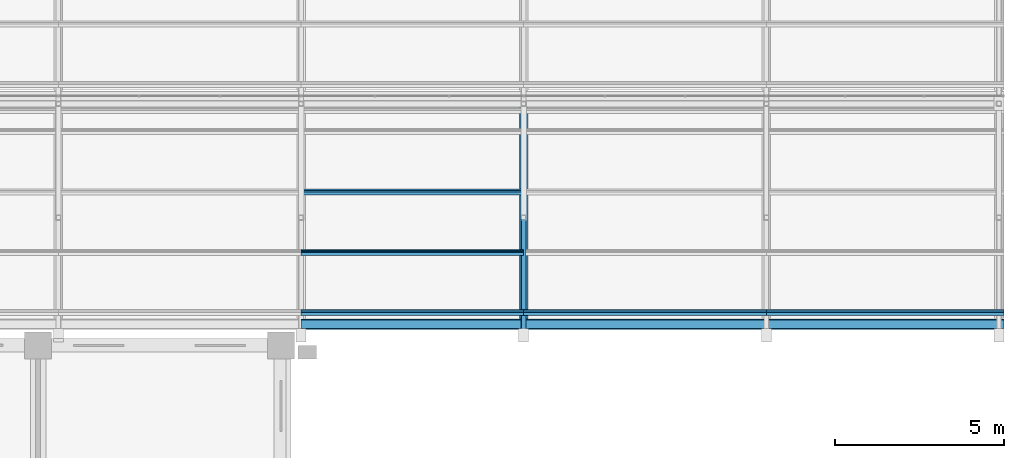
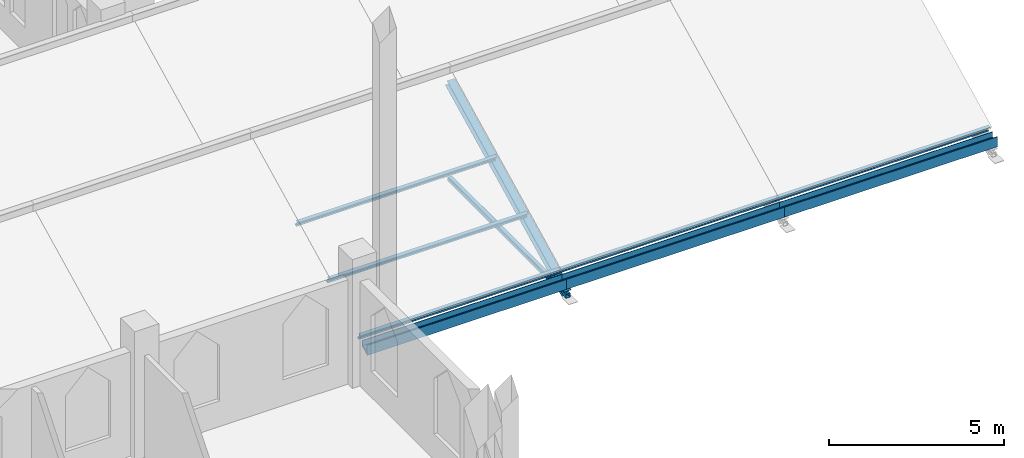
# One storey, part 7 of 29: 10 members.
"""IFC4 building model written with IfcOpenShell, lengths in metres."""

import ifcopenshell
import ifcopenshell.guid

model = None  # the IFC model being written
_history = None  # IfcOwnerHistory: only IFC2X3 demands one
_inside = {}  # id of a spatial element -> (the spatial element, [elements in it])
_under = {}  # id of a project, library or spatial element -> (it, [spatial elements below it])
_declared = {}  # id of a project -> (the project, [libraries it declares])
_typed = {}  # id of a type object -> (the type object, [elements of that type])
_made_of = {}  # id of a material, layer set ... -> (it, [elements and type objects made of it])


def new_model(schema):
    """Start an empty IFC model of exactly this schema.

    Asked for "IFC4X3", IfcOpenShell would pick the latest addendum, in which some entities
    have other attributes; the version numbers below select the first issue.
    IFC2X3 requires an IfcOwnerHistory on every rooted entity: one is made here for all.
    """
    global model, _history
    if schema == "IFC4X3":
        model = ifcopenshell.file(schema_version=(4, 3, 0, 0))
    else:
        model = ifcopenshell.file(schema=schema)
    _inside.clear()
    _under.clear()
    _declared.clear()
    _typed.clear()
    _made_of.clear()
    _history = None
    if model.schema == "IFC2X3":
        org = make("IfcOrganization", Name="unknown")
        user = make(
            "IfcPersonAndOrganization",
            ThePerson=make("IfcPerson", FamilyName="unknown"),
            TheOrganization=org,
        )
        app = make(
            "IfcApplication",
            ApplicationDeveloper=org,
            Version="unknown",
            ApplicationFullName="unknown",
            ApplicationIdentifier="unknown",
        )
        _history = make(
            "IfcOwnerHistory",
            OwningUser=user,
            OwningApplication=app,
            ChangeAction="ADDED",
            CreationDate=0,
        )
    return model


def make(cls, **values):
    """One entity of the class cls with the attributes given. An attribute that is None is left unset."""
    return model.create_entity(
        cls, **{name: value for name, value in values.items() if value is not None}
    )


def rooted(cls, **values):
    """An entity with a GlobalId (a new one), such as an element, a storey or a relation."""
    return make(cls, GlobalId=ifcopenshell.guid.new(), OwnerHistory=_history, **values)


def si_unit(unit_type, name, prefix=None):
    """IfcSIUnit, for example si_unit("LENGTHUNIT", "METRE", prefix="MILLI")."""
    return make("IfcSIUnit", UnitType=unit_type, Prefix=prefix, Name=name)


def assignment(units):
    """IfcUnitAssignment: the units of a project."""
    return None if units is None else make("IfcUnitAssignment", Units=units)


def point(xyz):
    """IfcCartesianPoint."""
    return None if xyz is None else make("IfcCartesianPoint", Coordinates=xyz)


def direction(xyz):
    """IfcDirection."""
    return None if xyz is None else make("IfcDirection", DirectionRatios=xyz)


def frame(location, z_axis=None, x_axis=None):
    """IfcAxis2Placement3D, a coordinate frame: its origin and axes. An axis left out is left unset."""
    return make(
        "IfcAxis2Placement3D",
        Location=point(location),
        Axis=direction(z_axis),
        RefDirection=direction(x_axis),
    )


def frame_2d(location, x_axis=None):
    """IfcAxis2Placement2D, a coordinate frame in the plane: its origin and x axis."""
    return make(
        "IfcAxis2Placement2D", Location=point(location), RefDirection=direction(x_axis)
    )


def origin():
    """The frame at (0, 0, 0) with its axes left unset."""
    return frame((0.0, 0.0, 0.0))


def origin_2d():
    """The frame at (0, 0) in the plane with its x axis left unset."""
    return frame_2d((0.0, 0.0))


def place(relative_to, where):
    """IfcLocalPlacement: puts the frame where relative to a parent placement (None: the world)."""
    return make(
        "IfcLocalPlacement", PlacementRelTo=relative_to, RelativePlacement=where
    )


def context(
    kind, dimensions, precision=None, world=None, true_north=None, identifier=None
):
    """IfcGeometricRepresentationContext, for example the 3D "Model" context."""
    return make(
        "IfcGeometricRepresentationContext",
        ContextIdentifier=identifier,
        ContextType=kind,
        CoordinateSpaceDimension=dimensions,
        Precision=precision,
        WorldCoordinateSystem=world,
        TrueNorth=true_north,
    )


def subcontext(parent, identifier, kind, view, scale=None):
    """IfcGeometricRepresentationSubContext, for example "Body" below "Model"."""
    return make(
        "IfcGeometricRepresentationSubContext",
        ContextIdentifier=identifier,
        ContextType=kind,
        ParentContext=parent,
        TargetScale=scale,
        TargetView=view,
    )


def project(units=None, contexts=None):
    """IfcProject with its units and contexts."""
    return rooted(
        "IfcProject",
        Name="project",
        RepresentationContexts=contexts,
        UnitsInContext=assignment(units),
    )


def spatial(cls, under=None, at=None, **own):
    """A site, building, storey or space (cls), placed at a placement, below another one or the project."""
    s = rooted(cls, ObjectPlacement=at, **own)
    if under is not None:
        _under.setdefault(under.id(), (under, []))[1].append(s)
    return s


def polyline(points):
    """IfcPolyline through the points."""
    return make("IfcPolyline", Points=[point(p) for p in points])


def profile(cls, at=None, kind="AREA", **sizes):
    """A parametric profile (cls). Its sizes go by their IFC names, for example OverallWidth=200.0."""
    return make(cls, ProfileType=kind, Position=at, **sizes)


def hollow_rectangle(**sizes):
    """IfcRectangleHollowProfileDef."""
    return profile("IfcRectangleHollowProfileDef", **sizes)


def i_section(**sizes):
    """IfcIShapeProfileDef."""
    return profile("IfcIShapeProfileDef", **sizes)


def outline(outer, holes=None, kind="AREA"):
    """IfcArbitraryClosedProfileDef: a profile drawn as a closed curve; with holes, ...WithVoids."""
    if holes is None:
        return make("IfcArbitraryClosedProfileDef", ProfileType=kind, OuterCurve=outer)
    return make(
        "IfcArbitraryProfileDefWithVoids",
        ProfileType=kind,
        OuterCurve=outer,
        InnerCurves=holes,
    )


def extrude(swept, where, along, depth):
    """IfcExtrudedAreaSolid: the profile swept, set in the frame where, extruded along a direction by depth."""
    return make(
        "IfcExtrudedAreaSolid",
        SweptArea=swept,
        Position=where,
        ExtrudedDirection=direction(along),
        Depth=depth,
    )


def shape(context_of_items, identifier, shape_type, items):
    """IfcShapeRepresentation: the items that make up one representation, for example the "Body"."""
    return make(
        "IfcShapeRepresentation",
        ContextOfItems=context_of_items,
        RepresentationIdentifier=identifier,
        RepresentationType=shape_type,
        Items=items,
    )


def material(Name=None, Category=None):
    """IfcMaterial."""
    return make("IfcMaterial", Name=Name, Category=Category)


def material_profile(
    of_material, cross_section, Name=None, Category=None, Priority=None
):
    """IfcMaterialProfile: a cross section and its material."""
    return make(
        "IfcMaterialProfile",
        Name=Name,
        Material=of_material,
        Profile=cross_section,
        Priority=Priority,
        Category=Category,
    )


def profile_set(profiles, Name=None, composite=None):
    """IfcMaterialProfileSet."""
    return make(
        "IfcMaterialProfileSet",
        Name=Name,
        MaterialProfiles=profiles,
        CompositeProfile=composite,
    )


def made_of(thing, what):
    """Note that an element or type object is made of a material, layer set ...; save() writes the relation."""
    if what is not None:
        _made_of.setdefault(what.id(), (what, []))[1].append(thing)
    return thing


def type_object(cls, material=None, **own):
    """A type object (cls), such as IfcWallType, which elements share."""
    return made_of(rooted(cls, **own), material)


def element(
    cls,
    number,
    at=None,
    inside=None,
    cuts=None,
    type_object=None,
    material=None,
    context=None,
    identifier="Body",
    shape_type=None,
    held_by="IfcProductDefinitionShape",
    body=None,
    shapes=None,
    **own,
):
    """One element of the class cls, such as IfcWall. Its Tag is "e" and its number.

    at: its placement. inside: the storey or other place that contains it. cuts: it is an
    opening in that element (IfcRelVoidsElement). A single representation is given by context,
    identifier, shape_type and body (its items); several are given by shapes. held_by: the class
    of the entity that holds the representations. save() writes the other relations.
    """
    e = rooted(cls, Tag="e%d" % number, ObjectPlacement=at, **own)
    if body is not None:
        shapes = [shape(context, identifier, shape_type, body)]
    if shapes is not None:
        e.Representation = make(held_by, Representations=shapes)
    if inside is not None:
        _inside.setdefault(inside.id(), (inside, []))[1].append(e)
    if cuts is not None:
        rooted(
            "IfcRelVoidsElement", RelatingBuildingElement=cuts, RelatedOpeningElement=e
        )
    if type_object is not None:
        _typed.setdefault(type_object.id(), (type_object, []))[1].append(e)
    return made_of(e, material)


def aggregate(whole, parts):
    """IfcRelAggregates: a whole, such as a stair, and the parts it consists of."""
    return rooted("IfcRelAggregates", RelatingObject=whole, RelatedObjects=parts)


def save(model, path):
    """Write the relations noted so far, then the file.

    IfcRelAggregates (storeys below a building ...), IfcRelContainedInSpatialStructure (elements
    in a storey), IfcRelDefinesByType, IfcRelAssociatesMaterial and IfcRelDeclares: one each for
    every whole, place, type object, material and project.
    """
    for whole, parts in _under.values():
        aggregate(whole, parts)
    for where, things in _inside.values():
        rooted(
            "IfcRelContainedInSpatialStructure",
            RelatedElements=things,
            RelatingStructure=where,
        )
    for kind, things in _typed.values():
        rooted("IfcRelDefinesByType", RelatedObjects=things, RelatingType=kind)
    for what, things in _made_of.values():
        rooted("IfcRelAssociatesMaterial", RelatedObjects=things, RelatingMaterial=what)
    for by, libraries in _declared.values():
        rooted("IfcRelDeclares", RelatingContext=by, RelatedDefinitions=libraries)
    model.write(path)


model = new_model("IFC4")

# Units and contexts
model_context = context("Model", 3, precision=1e-05, world=origin(), true_north=direction((0.0, 1.0)))
body_context = subcontext(model_context, "Body", "Model", "MODEL_VIEW")
ifc_project = project(units=[si_unit("LENGTHUNIT", "METRE"), si_unit("AREAUNIT", "SQUARE_METRE"), si_unit("VOLUMEUNIT", "CUBIC_METRE"), si_unit("PLANEANGLEUNIT", "RADIAN"), si_unit("MASSUNIT", "GRAM", prefix="KILO")], contexts=[model_context])

# Site, building, storey
site_placement = place(None, origin())
site = spatial("IfcSite", under=ifc_project, at=site_placement, CompositionType="ELEMENT")
building_placement = place(site_placement, origin())
building = spatial("IfcBuilding", under=site, at=building_placement, Name="Silangan Lancet Faculty of Sciences", CompositionType="ELEMENT")
storey_placement = place(building_placement, frame((0.0, 0.0, 40.800048828125)))
storey = spatial("IfcBuildingStorey", under=building, at=storey_placement, Name="L08", CompositionType="ELEMENT", Elevation=40.800048828125)

# Members
ifc_material_1 = material(Name="Steel SS400", Category="steel")
ifc_material_profile_1 = material_profile(ifc_material_1, i_section(OverallWidth=0.10009765625, OverallDepth=0.199951171875, WebThickness=0.005615234375, FlangeThickness=0.008056640625, FilletRadius=0.008056640625, at=origin_2d()), Name="H 200x100x5.5x8")
ifc_profile_set_1 = profile_set([ifc_material_profile_1], Name="Steel SS400")
member_type_1 = type_object("IfcMemberType", Name="Sheeting purlin H 200x100x5.5x8", PredefinedType="PURLIN", material=ifc_profile_set_1)
for number, where, z_axis, x_axis, name in (
    (1, (29.39990234375, 22.5703125, 0.631591796875), (1.0, 0.0, 0.0), (0.0, 0.894427192382, 0.447213592736), "Sheeting purlin ATRIUM-1-5 1"),
    (2, (29.39990234375, 24.359130859375, 1.526123046875), (1.0, 0.0, 0.0), (0.0, 0.894427192382, 0.447213592736), "Sheeting purlin ATRIUM-1-5 2"),
    (3, (29.39990234375, 26.14794921875, 2.42041015625), (1.0, 0.0, 0.0), (0.0, 0.894427192382, 0.447213592736), "Sheeting purlin ATRIUM-1-5 3"),
):
    element("IfcMember", number, at=place(storey_placement, frame(where, z_axis=z_axis, x_axis=x_axis)), inside=storey, type_object=member_type_1, Name=name, PredefinedType="PURLIN", context=body_context, shape_type="SweptSolid", body=[
        extrude(i_section(OverallWidth=0.10009765625, OverallDepth=0.199951171875, WebThickness=0.005615234375, FlangeThickness=0.008056640625, FilletRadius=0.008056640625, at=origin_2d()), origin(), (0.0, 0.0, 1.0), 6.60009765625),
    ])
member_1_placement = place(storey_placement, frame((36.0, 22.5703125, 0.631591796875), z_axis=(1.0, 0.0, 0.0), x_axis=(0.0, 0.894427192382, 0.447213592736)))
element("IfcMember", 4, at=member_1_placement, inside=storey, type_object=member_type_1, Name="Sheeting purlin ATRIUM-1-6 1", PredefinedType="PURLIN", context=body_context, shape_type="SweptSolid", body=[
    extrude(i_section(OverallWidth=0.10009765625, OverallDepth=0.199951171875, WebThickness=0.005615234375, FlangeThickness=0.008056640625, FilletRadius=0.008056640625, at=origin_2d()), origin(), (0.0, 0.0, 1.0), 7.199951171875),
])
member_2_placement = place(storey_placement, frame((43.199951171875, 22.5703125, 0.631591796875), z_axis=(1.0, 0.0, 0.0), x_axis=(0.0, 0.894427192382, 0.447213592736)))
element("IfcMember", 5, at=member_2_placement, inside=storey, type_object=member_type_1, Name="Sheeting purlin ATRIUM-1-7 1", PredefinedType="PURLIN", context=body_context, shape_type="SweptSolid", body=[
    extrude(i_section(OverallWidth=0.10009765625, OverallDepth=0.199951171875, WebThickness=0.005615234375, FlangeThickness=0.008056640625, FilletRadius=0.008056640625, at=origin_2d()), origin(), (0.0, 0.0, 1.0), 7.050048828125),
])
ifc_material_2 = material(Name="Steel STKR400", Category="steel")
ifc_material_profile_2 = material_profile(ifc_material_2, hollow_rectangle(XDim=0.14990234375, YDim=0.14990234375, WallThickness=0.009033203125, InnerFilletRadius=0.009033203125, OuterFilletRadius=0.01806640625, at=origin_2d()), Name="SHS 150x150x9.0")
ifc_profile_set_2 = profile_set([ifc_material_profile_2], Name="Steel STKR400")
member_type_2 = type_object("IfcMemberType", Name="Truss bottom chord SHS 150x150x9.0", PredefinedType="CHORD", material=ifc_profile_set_2)
member_3_placement = place(storey_placement, frame((36.0, 22.0, 0.094970703125), z_axis=(0.0, 1.0, 0.0), x_axis=(-1.0, 0.0, 0.0)))
element("IfcMember", 6, at=member_3_placement, inside=storey, type_object=member_type_2, Name="Truss 6 bottom chord 1", PredefinedType="CHORD", context=body_context, shape_type="SweptSolid", body=[
    extrude(hollow_rectangle(XDim=0.14990234375, YDim=0.14990234375, WallThickness=0.009033203125, InnerFilletRadius=0.009033203125, OuterFilletRadius=0.01806640625, at=origin_2d()), origin(), (0.0, 0.0, 1.0), 6.77001953125),
])
ifc_material_3 = material(Name="Steel SS400", Category="steel")
ifc_material_profile_3 = material_profile(ifc_material_3, i_section(OverallWidth=0.25, OverallDepth=0.25, WebThickness=0.009033203125, FlangeThickness=0.013916015625, FilletRadius=0.01611328125, at=origin_2d()), Name="H 250x250x9x14")
ifc_profile_set_3 = profile_set([ifc_material_profile_3], Name="Steel SS400")
member_type_3 = type_object("IfcMemberType", Name="Truss top chord H 250x250x9x14", PredefinedType="CHORD", material=ifc_profile_set_3)
member_4_placement = place(storey_placement, frame((36.0, 22.08056640625, 0.13525390625), z_axis=(0.0, 0.894427191, 0.4472135955), x_axis=(-1.0, 0.0, 0.0)))
element("IfcMember", 7, at=member_4_placement, inside=storey, type_object=member_type_3, Name="Truss 6 top chord 1", PredefinedType="CHORD", context=body_context, shape_type="SweptSolid", body=[
    extrude(i_section(OverallWidth=0.25, OverallDepth=0.25, WebThickness=0.009033203125, FlangeThickness=0.013916015625, FilletRadius=0.01611328125, at=origin_2d()), origin(), (0.0, 0.0, 1.0), 7.47900390625),
])
ifc_material_4 = material(Name="Stainless steel", Category="steel")
ifc_material_profile_4 = material_profile(ifc_material_4, outline(polyline([(-0.14990234375, 0.0), (0.14990234375, 0.14990234375), (0.14990234375, 0.35009765625), (0.1298828125, 0.35009765625), (0.1298828125, 0.169921875), (-0.1298828125, 0.169921875), (-0.1298828125, 0.35009765625), (-0.14990234375, 0.35009765625), (-0.14990234375, 0.0)])), Name="valley gutter")
ifc_profile_set_4 = profile_set([ifc_material_profile_4], Name="Stainless steel")
member_type_4 = type_object("IfcMemberType", Name="Valley gutter 300 wide", PredefinedType="USERDEFINED", material=ifc_profile_set_4)
member_5_placement = place(storey_placement, frame((29.39990234375, 22.22509765625, 0.272216796875), z_axis=(1.0, 0.0, 0.0), x_axis=(0.0, 1.0, 0.0)))
element("IfcMember", 8, at=member_5_placement, inside=storey, type_object=member_type_4, Name="Valley gutter ATRIUM-1-5", ObjectType="GUTTER", PredefinedType="USERDEFINED", context=body_context, shape_type="SweptSolid", body=[
    extrude(outline(polyline([(-0.14990234375, 0.0), (0.14990234375, 0.14990234375), (0.14990234375, 0.35009765625), (0.1298828125, 0.35009765625), (0.1298828125, 0.169921875), (-0.1298828125, 0.169921875), (-0.1298828125, 0.35009765625), (-0.14990234375, 0.35009765625), (-0.14990234375, 0.0)])), origin(), (0.0, 0.0, 1.0), 6.60009765625),
])
member_6_placement = place(storey_placement, frame((36.0, 22.22509765625, 0.272216796875), z_axis=(1.0, 0.0, 0.0), x_axis=(0.0, 1.0, 0.0)))
element("IfcMember", 9, at=member_6_placement, inside=storey, type_object=member_type_4, Name="Valley gutter ATRIUM-1-6", ObjectType="GUTTER", PredefinedType="USERDEFINED", context=body_context, shape_type="SweptSolid", body=[
    extrude(outline(polyline([(-0.14990234375, 0.0), (0.14990234375, 0.14990234375), (0.14990234375, 0.35009765625), (0.1298828125, 0.35009765625), (0.1298828125, 0.169921875), (-0.1298828125, 0.169921875), (-0.1298828125, 0.35009765625), (-0.14990234375, 0.35009765625), (-0.14990234375, 0.0)])), origin(), (0.0, 0.0, 1.0), 7.199951171875),
])
member_7_placement = place(storey_placement, frame((43.199951171875, 22.22509765625, 0.272216796875), z_axis=(1.0, 0.0, 0.0), x_axis=(0.0, 1.0, 0.0)))
element("IfcMember", 10, at=member_7_placement, inside=storey, type_object=member_type_4, Name="Valley gutter ATRIUM-1-7", ObjectType="GUTTER", PredefinedType="USERDEFINED", context=body_context, shape_type="SweptSolid", body=[
    extrude(outline(polyline([(-0.14990234375, 0.0), (0.14990234375, 0.14990234375), (0.14990234375, 0.35009765625), (0.1298828125, 0.35009765625), (0.1298828125, 0.169921875), (-0.1298828125, 0.169921875), (-0.1298828125, 0.35009765625), (-0.14990234375, 0.35009765625), (-0.14990234375, 0.0)])), origin(), (0.0, 0.0, 1.0), 7.050048828125),
])

save(model, "model.ifc")
